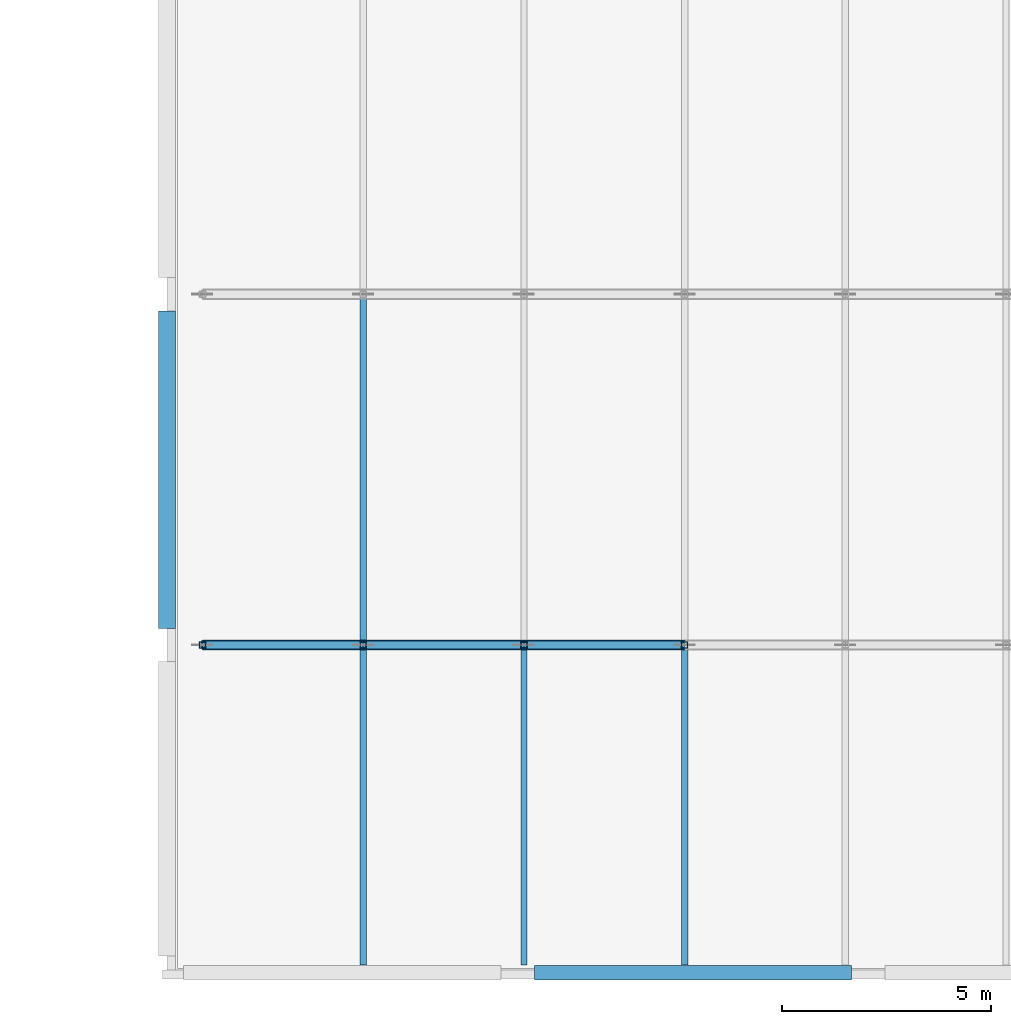
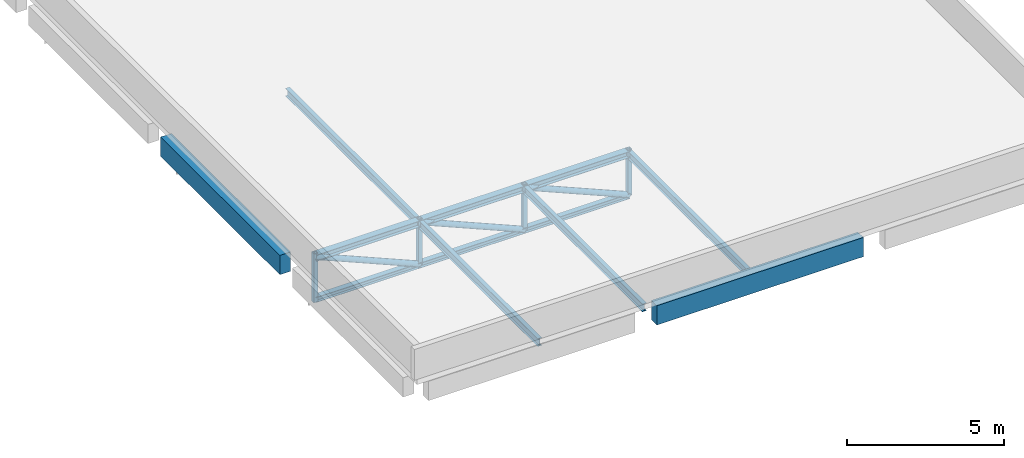
# One storey, part 14 of 38: 17 members, 2 beams.
"""IFC4 building model written with IfcOpenShell, lengths in metres."""

import ifcopenshell
import ifcopenshell.guid

model = None  # the IFC model being written
_history = None  # IfcOwnerHistory: only IFC2X3 demands one
_inside = {}  # id of a spatial element -> (the spatial element, [elements in it])
_under = {}  # id of a project, library or spatial element -> (it, [spatial elements below it])
_declared = {}  # id of a project -> (the project, [libraries it declares])
_typed = {}  # id of a type object -> (the type object, [elements of that type])
_made_of = {}  # id of a material, layer set ... -> (it, [elements and type objects made of it])


def new_model(schema):
    """Start an empty IFC model of exactly this schema.

    Asked for "IFC4X3", IfcOpenShell would pick the latest addendum, in which some entities
    have other attributes; the version numbers below select the first issue.
    IFC2X3 requires an IfcOwnerHistory on every rooted entity: one is made here for all.
    """
    global model, _history
    if schema == "IFC4X3":
        model = ifcopenshell.file(schema_version=(4, 3, 0, 0))
    else:
        model = ifcopenshell.file(schema=schema)
    _inside.clear()
    _under.clear()
    _declared.clear()
    _typed.clear()
    _made_of.clear()
    _history = None
    if model.schema == "IFC2X3":
        org = make("IfcOrganization", Name="unknown")
        user = make(
            "IfcPersonAndOrganization",
            ThePerson=make("IfcPerson", FamilyName="unknown"),
            TheOrganization=org,
        )
        app = make(
            "IfcApplication",
            ApplicationDeveloper=org,
            Version="unknown",
            ApplicationFullName="unknown",
            ApplicationIdentifier="unknown",
        )
        _history = make(
            "IfcOwnerHistory",
            OwningUser=user,
            OwningApplication=app,
            ChangeAction="ADDED",
            CreationDate=0,
        )
    return model


def make(cls, **values):
    """One entity of the class cls with the attributes given. An attribute that is None is left unset."""
    return model.create_entity(
        cls, **{name: value for name, value in values.items() if value is not None}
    )


def rooted(cls, **values):
    """An entity with a GlobalId (a new one), such as an element, a storey or a relation."""
    return make(cls, GlobalId=ifcopenshell.guid.new(), OwnerHistory=_history, **values)


def si_unit(unit_type, name, prefix=None):
    """IfcSIUnit, for example si_unit("LENGTHUNIT", "METRE", prefix="MILLI")."""
    return make("IfcSIUnit", UnitType=unit_type, Prefix=prefix, Name=name)


def assignment(units):
    """IfcUnitAssignment: the units of a project."""
    return None if units is None else make("IfcUnitAssignment", Units=units)


def point(xyz):
    """IfcCartesianPoint."""
    return None if xyz is None else make("IfcCartesianPoint", Coordinates=xyz)


def direction(xyz):
    """IfcDirection."""
    return None if xyz is None else make("IfcDirection", DirectionRatios=xyz)


def frame(location, z_axis=None, x_axis=None):
    """IfcAxis2Placement3D, a coordinate frame: its origin and axes. An axis left out is left unset."""
    return make(
        "IfcAxis2Placement3D",
        Location=point(location),
        Axis=direction(z_axis),
        RefDirection=direction(x_axis),
    )


def frame_2d(location, x_axis=None):
    """IfcAxis2Placement2D, a coordinate frame in the plane: its origin and x axis."""
    return make(
        "IfcAxis2Placement2D", Location=point(location), RefDirection=direction(x_axis)
    )


def origin():
    """The frame at (0, 0, 0) with its axes left unset."""
    return frame((0.0, 0.0, 0.0))


def origin_2d():
    """The frame at (0, 0) in the plane with its x axis left unset."""
    return frame_2d((0.0, 0.0))


def place(relative_to, where):
    """IfcLocalPlacement: puts the frame where relative to a parent placement (None: the world)."""
    return make(
        "IfcLocalPlacement", PlacementRelTo=relative_to, RelativePlacement=where
    )


def context(
    kind, dimensions, precision=None, world=None, true_north=None, identifier=None
):
    """IfcGeometricRepresentationContext, for example the 3D "Model" context."""
    return make(
        "IfcGeometricRepresentationContext",
        ContextIdentifier=identifier,
        ContextType=kind,
        CoordinateSpaceDimension=dimensions,
        Precision=precision,
        WorldCoordinateSystem=world,
        TrueNorth=true_north,
    )


def subcontext(parent, identifier, kind, view, scale=None):
    """IfcGeometricRepresentationSubContext, for example "Body" below "Model"."""
    return make(
        "IfcGeometricRepresentationSubContext",
        ContextIdentifier=identifier,
        ContextType=kind,
        ParentContext=parent,
        TargetScale=scale,
        TargetView=view,
    )


def project(units=None, contexts=None):
    """IfcProject with its units and contexts."""
    return rooted(
        "IfcProject",
        Name="project",
        RepresentationContexts=contexts,
        UnitsInContext=assignment(units),
    )


def spatial(cls, under=None, at=None, **own):
    """A site, building, storey or space (cls), placed at a placement, below another one or the project."""
    s = rooted(cls, ObjectPlacement=at, **own)
    if under is not None:
        _under.setdefault(under.id(), (under, []))[1].append(s)
    return s


def profile(cls, at=None, kind="AREA", **sizes):
    """A parametric profile (cls). Its sizes go by their IFC names, for example OverallWidth=200.0."""
    return make(cls, ProfileType=kind, Position=at, **sizes)


def rectangle(**sizes):
    """IfcRectangleProfileDef."""
    return profile("IfcRectangleProfileDef", **sizes)


def hollow_rectangle(**sizes):
    """IfcRectangleHollowProfileDef."""
    return profile("IfcRectangleHollowProfileDef", **sizes)


def hollow_circle(**sizes):
    """IfcCircleHollowProfileDef."""
    return profile("IfcCircleHollowProfileDef", **sizes)


def i_section(**sizes):
    """IfcIShapeProfileDef."""
    return profile("IfcIShapeProfileDef", **sizes)


def extrude(swept, where, along, depth):
    """IfcExtrudedAreaSolid: the profile swept, set in the frame where, extruded along a direction by depth."""
    return make(
        "IfcExtrudedAreaSolid",
        SweptArea=swept,
        Position=where,
        ExtrudedDirection=direction(along),
        Depth=depth,
    )


def shape(context_of_items, identifier, shape_type, items):
    """IfcShapeRepresentation: the items that make up one representation, for example the "Body"."""
    return make(
        "IfcShapeRepresentation",
        ContextOfItems=context_of_items,
        RepresentationIdentifier=identifier,
        RepresentationType=shape_type,
        Items=items,
    )


def material(Name=None, Category=None):
    """IfcMaterial."""
    return make("IfcMaterial", Name=Name, Category=Category)


def material_profile(
    of_material, cross_section, Name=None, Category=None, Priority=None
):
    """IfcMaterialProfile: a cross section and its material."""
    return make(
        "IfcMaterialProfile",
        Name=Name,
        Material=of_material,
        Profile=cross_section,
        Priority=Priority,
        Category=Category,
    )


def profile_set(profiles, Name=None, composite=None):
    """IfcMaterialProfileSet."""
    return make(
        "IfcMaterialProfileSet",
        Name=Name,
        MaterialProfiles=profiles,
        CompositeProfile=composite,
    )


def made_of(thing, what):
    """Note that an element or type object is made of a material, layer set ...; save() writes the relation."""
    if what is not None:
        _made_of.setdefault(what.id(), (what, []))[1].append(thing)
    return thing


def type_object(cls, material=None, **own):
    """A type object (cls), such as IfcWallType, which elements share."""
    return made_of(rooted(cls, **own), material)


def element(
    cls,
    number,
    at=None,
    inside=None,
    cuts=None,
    type_object=None,
    material=None,
    context=None,
    identifier="Body",
    shape_type=None,
    held_by="IfcProductDefinitionShape",
    body=None,
    shapes=None,
    **own,
):
    """One element of the class cls, such as IfcWall. Its Tag is "e" and its number.

    at: its placement. inside: the storey or other place that contains it. cuts: it is an
    opening in that element (IfcRelVoidsElement). A single representation is given by context,
    identifier, shape_type and body (its items); several are given by shapes. held_by: the class
    of the entity that holds the representations. save() writes the other relations.
    """
    e = rooted(cls, Tag="e%d" % number, ObjectPlacement=at, **own)
    if body is not None:
        shapes = [shape(context, identifier, shape_type, body)]
    if shapes is not None:
        e.Representation = make(held_by, Representations=shapes)
    if inside is not None:
        _inside.setdefault(inside.id(), (inside, []))[1].append(e)
    if cuts is not None:
        rooted(
            "IfcRelVoidsElement", RelatingBuildingElement=cuts, RelatedOpeningElement=e
        )
    if type_object is not None:
        _typed.setdefault(type_object.id(), (type_object, []))[1].append(e)
    return made_of(e, material)


def aggregate(whole, parts):
    """IfcRelAggregates: a whole, such as a stair, and the parts it consists of."""
    return rooted("IfcRelAggregates", RelatingObject=whole, RelatedObjects=parts)


def save(model, path):
    """Write the relations noted so far, then the file.

    IfcRelAggregates (storeys below a building ...), IfcRelContainedInSpatialStructure (elements
    in a storey), IfcRelDefinesByType, IfcRelAssociatesMaterial and IfcRelDeclares: one each for
    every whole, place, type object, material and project.
    """
    for whole, parts in _under.values():
        aggregate(whole, parts)
    for where, things in _inside.values():
        rooted(
            "IfcRelContainedInSpatialStructure",
            RelatedElements=things,
            RelatingStructure=where,
        )
    for kind, things in _typed.values():
        rooted("IfcRelDefinesByType", RelatedObjects=things, RelatingType=kind)
    for what, things in _made_of.values():
        rooted("IfcRelAssociatesMaterial", RelatedObjects=things, RelatingMaterial=what)
    for by, libraries in _declared.values():
        rooted("IfcRelDeclares", RelatingContext=by, RelatedDefinitions=libraries)
    model.write(path)


model = new_model("IFC4")

# Units and contexts
model_context = context("Model", 3, precision=1e-05, world=origin(), true_north=direction((0.0, 1.0)))
body_context = subcontext(model_context, "Body", "Model", "MODEL_VIEW")
ifc_project = project(units=[si_unit("LENGTHUNIT", "METRE"), si_unit("AREAUNIT", "SQUARE_METRE"), si_unit("VOLUMEUNIT", "CUBIC_METRE"), si_unit("PLANEANGLEUNIT", "RADIAN"), si_unit("MASSUNIT", "GRAM", prefix="KILO")], contexts=[model_context])

# Site, building, storey
site_placement = place(None, origin())
site = spatial("IfcSite", under=ifc_project, at=site_placement, CompositionType="ELEMENT")
building_placement = place(site_placement, origin())
building = spatial("IfcBuilding", under=site, at=building_placement, Name="Brinegate Botanical Conservatory", CompositionType="ELEMENT")
storey_placement = place(building_placement, frame((0.0, 0.0, 10.199951171875)))
storey = spatial("IfcBuildingStorey", under=building, at=storey_placement, Name="L03", CompositionType="ELEMENT", Elevation=10.199951171875)

# Beams
ifc_material_1 = material(Name="Concrete C50/60", Category="concrete")
ifc_material_profile_1 = material_profile(ifc_material_1, rectangle(XDim=0.39990234375, YDim=0.75, at=origin_2d()), Name="RC BM 400x750")
ifc_profile_set_1 = profile_set([ifc_material_profile_1], Name="Concrete C50/60")
beam_type_1 = type_object("IfcBeamType", Name="Beam_BM-T1", PredefinedType="BEAM", material=ifc_profile_set_1)
beam_1_placement = place(storey_placement, frame((138.800048828125, 8.800048828125, -0.574951171875), z_axis=(0.0, 1.0, 0.0), x_axis=(-1.0, 0.0, 0.0)))
element("IfcBeam", 1, at=beam_1_placement, inside=storey, type_object=beam_type_1, Name="Beam BM-T1 L03 18:B-C", PredefinedType="BEAM", context=body_context, shape_type="SweptSolid", body=[
    extrude(rectangle(XDim=0.39990234375, YDim=0.75, at=origin_2d()), origin(), (0.0, 0.0, 1.0), 7.599853515625),
])
ifc_material_2 = material(Name="Concrete C40/50", Category="concrete")
ifc_material_profile_2 = material_profile(ifc_material_2, rectangle(XDim=0.35009765625, YDim=0.75, at=origin_2d()), Name="RC SPN 350x750")
ifc_profile_set_2 = profile_set([ifc_material_profile_2], Name="Concrete C40/50")
beam_type_2 = type_object("IfcBeamType", Name="Beam_SP-01", PredefinedType="SPANDREL", material=ifc_profile_set_2)
beam_2_placement = place(storey_placement, frame((147.60009765625, 0.550048828125, -0.574951171875), z_axis=(1.0, 0.0, 0.0), x_axis=(0.0, 1.0, 0.0)))
element("IfcBeam", 2, at=beam_2_placement, inside=storey, type_object=beam_type_2, Name="Beam SP-01 L03 A:19-20", PredefinedType="SPANDREL", context=body_context, shape_type="SweptSolid", body=[
    extrude(rectangle(XDim=0.35009765625, YDim=0.75, at=origin_2d()), origin(), (0.0, 0.0, 1.0), 7.599853515625),
])

# Members
ifc_material_3 = material(Name="Structural steel Q355B / S355", Category="steel")
ifc_material_profile_3 = material_profile(ifc_material_3, hollow_circle(Radius=0.109619140625, WallThickness=0.010009765625, at=origin_2d()), Name="CHS 219x10")
ifc_profile_set_3 = profile_set([ifc_material_profile_3], Name="Structural steel Q355B / S355")
member_type_1 = type_object("IfcMemberType", Name="Member_TB-01", PredefinedType="BRACE", material=ifc_profile_set_3)
for number, where, z_axis, x_axis, name in (
    (3, (139.64990234375, 8.39990234375, -0.35986328125), (0.919999828954, 0.0, -0.391918760362), (0.0, 1.0, 0.0), "Auditorium roof truss 1 web diagonal 1"),
    (4, (143.5, 8.39990234375, -0.35986328125), (0.919999828954, 0.0, -0.391918760362), (0.0, 1.0, 0.0), "Auditorium roof truss 1 web diagonal 2"),
):
    element("IfcMember", number, at=place(storey_placement, frame(where, z_axis=z_axis, x_axis=x_axis)), inside=storey, type_object=member_type_1, Name=name, PredefinedType="BRACE", context=body_context, shape_type="SweptSolid", body=[
        extrude(hollow_circle(Radius=0.109619140625, WallThickness=0.010009765625, at=origin_2d()), origin(), (0.0, 0.0, 1.0), 4.184814453125),
    ])
member_1_placement = place(storey_placement, frame((147.35009765625, 8.39990234375, -0.35986328125), z_axis=(0.919990867405, 0.0, -0.39193979626), x_axis=(0.0, 1.0, 0.0)))
element("IfcMember", 5, at=member_1_placement, inside=storey, type_object=member_type_1, Name="Auditorium roof truss 1 web diagonal 3", PredefinedType="BRACE", context=body_context, shape_type="SweptSolid", body=[
    extrude(hollow_circle(Radius=0.109619140625, WallThickness=0.010009765625, at=origin_2d()), origin(), (0.0, 0.0, 1.0), 4.1845703125),
])
ifc_material_profile_4 = material_profile(ifc_material_3, i_section(OverallWidth=0.25, OverallDepth=0.25, WebThickness=0.009033203125, FlangeThickness=0.013916015625, at=origin_2d()), Name="HW 250x250x9x14")
ifc_profile_set_4 = profile_set([ifc_material_profile_4], Name="Structural steel Q355B / S355")
member_type_2 = type_object("IfcMemberType", Name="Member_TC-01", PredefinedType="CHORD", material=ifc_profile_set_4)
for number, where, z_axis, x_axis, name in (
    (6, (139.64990234375, 8.39990234375, -0.35986328125), (1.0, 0.0, 0.0), (0.0, 1.0, 0.0), "Auditorium roof truss 1 top chord 1"),
    (7, (143.5, 8.39990234375, -0.35986328125), (1.0, 0.0, 0.0), (0.0, 1.0, 0.0), "Auditorium roof truss 1 top chord 2"),
):
    element("IfcMember", number, at=place(storey_placement, frame(where, z_axis=z_axis, x_axis=x_axis)), inside=storey, type_object=member_type_2, Name=name, PredefinedType="CHORD", context=body_context, shape_type="SweptSolid", body=[
        extrude(i_section(OverallWidth=0.25, OverallDepth=0.25, WebThickness=0.009033203125, FlangeThickness=0.013916015625, at=origin_2d()), origin(), (0.0, 0.0, 1.0), 3.85009765625),
    ])
member_2_placement = place(storey_placement, frame((147.35009765625, 8.39990234375, -0.35986328125), z_axis=(1.0, 0.0, 0.0), x_axis=(0.0, 1.0, 0.0)))
element("IfcMember", 8, at=member_2_placement, inside=storey, type_object=member_type_2, Name="Auditorium roof truss 1 top chord 3", PredefinedType="CHORD", context=body_context, shape_type="SweptSolid", body=[
    extrude(i_section(OverallWidth=0.25, OverallDepth=0.25, WebThickness=0.009033203125, FlangeThickness=0.013916015625, at=origin_2d()), origin(), (0.0, 0.0, 1.0), 3.849853515625),
])
ifc_material_profile_5 = material_profile(ifc_material_3, i_section(OverallWidth=0.199951171875, OverallDepth=0.199951171875, WebThickness=0.008056640625, FlangeThickness=0.011962890625, at=origin_2d()), Name="HW 200x200x8x12")
ifc_profile_set_5 = profile_set([ifc_material_profile_5], Name="Structural steel Q355B / S355")
member_type_3 = type_object("IfcMemberType", Name="Member_TC-02", PredefinedType="CHORD", material=ifc_profile_set_5)
for number, where, z_axis, x_axis, name in (
    (9, (139.64990234375, 8.39990234375, -2.0), (1.0, 0.0, 0.0), (0.0, 1.0, 0.0), "Auditorium roof truss 1 bottom chord 1"),
    (10, (143.5, 8.39990234375, -2.0), (1.0, 0.0, 0.0), (0.0, 1.0, 0.0), "Auditorium roof truss 1 bottom chord 2"),
):
    element("IfcMember", number, at=place(storey_placement, frame(where, z_axis=z_axis, x_axis=x_axis)), inside=storey, type_object=member_type_3, Name=name, PredefinedType="CHORD", context=body_context, shape_type="SweptSolid", body=[
        extrude(i_section(OverallWidth=0.199951171875, OverallDepth=0.199951171875, WebThickness=0.008056640625, FlangeThickness=0.011962890625, at=origin_2d()), origin(), (0.0, 0.0, 1.0), 3.85009765625),
    ])
member_3_placement = place(storey_placement, frame((147.35009765625, 8.39990234375, -2.0), z_axis=(1.0, 0.0, 0.0), x_axis=(0.0, 1.0, 0.0)))
element("IfcMember", 11, at=member_3_placement, inside=storey, type_object=member_type_3, Name="Auditorium roof truss 1 bottom chord 3", PredefinedType="CHORD", context=body_context, shape_type="SweptSolid", body=[
    extrude(i_section(OverallWidth=0.199951171875, OverallDepth=0.199951171875, WebThickness=0.008056640625, FlangeThickness=0.011962890625, at=origin_2d()), origin(), (0.0, 0.0, 1.0), 3.849853515625),
])
ifc_material_profile_6 = material_profile(ifc_material_3, i_section(OverallWidth=0.14990234375, OverallDepth=0.300048828125, WebThickness=0.006591796875, FlangeThickness=0.009033203125, at=origin_2d()), Name="HN 300x150x6.5x9")
ifc_profile_set_6 = profile_set([ifc_material_profile_6], Name="Structural steel Q355B / S355")
member_type_4 = type_object("IfcMemberType", Name="Member_TP-01", PredefinedType="PURLIN", material=ifc_profile_set_6)
member_4_placement = place(storey_placement, frame((143.5, 8.39990234375, -0.389892578125), z_axis=(0.0, 1.0, 0.0), x_axis=(-1.0, 0.0, 0.0)))
element("IfcMember", 12, at=member_4_placement, inside=storey, type_object=member_type_4, Name="Auditorium roof purlin TP-01 1.1", PredefinedType="PURLIN", context=body_context, shape_type="SweptSolid", body=[
    extrude(i_section(OverallWidth=0.14990234375, OverallDepth=0.300048828125, WebThickness=0.006591796875, FlangeThickness=0.009033203125, at=origin_2d()), origin(), (0.0, 0.0, 1.0), 8.400146484375),
])
for number, where, z_axis, x_axis, name in (
    (13, (143.5, 0.72998046875, -0.389892578125), (0.0, 1.0, 0.0), (-1.0, 0.0, 0.0), "Auditorium south stage roof purlin TP-01 1"),
    (14, (147.35009765625, 0.72998046875, -0.389892578125), (0.0, 1.0, 0.0), (-1.0, 0.0, 0.0), "Auditorium south stage roof purlin TP-01 2"),
    (15, (151.199951171875, 0.72998046875, -0.389892578125), (0.0, 1.0, 0.0), (-1.0, 0.0, 0.0), "Auditorium south stage roof purlin TP-01 3"),
):
    element("IfcMember", number, at=place(storey_placement, frame(where, z_axis=z_axis, x_axis=x_axis)), inside=storey, type_object=member_type_4, Name=name, PredefinedType="PURLIN", context=body_context, shape_type="SweptSolid", body=[
        extrude(i_section(OverallWidth=0.14990234375, OverallDepth=0.300048828125, WebThickness=0.006591796875, FlangeThickness=0.009033203125, at=origin_2d()), origin(), (0.0, 0.0, 1.0), 7.669921875),
    ])
ifc_material_profile_7 = material_profile(ifc_material_3, hollow_rectangle(XDim=0.14990234375, YDim=0.14990234375, WallThickness=0.008056640625, at=origin_2d()), Name="SHS 150x150x8")
ifc_profile_set_7 = profile_set([ifc_material_profile_7], Name="Structural steel Q355B / S355")
member_type_5 = type_object("IfcMemberType", Name="Member_TS-01", PredefinedType="STRUT", material=ifc_profile_set_7)
member_5_placement = place(storey_placement, frame((139.64990234375, 8.39990234375, -2.099853515625), z_axis=(0.0, 0.0, 1.0), x_axis=(1.0, 0.0, 0.0)))
element("IfcMember", 16, at=member_5_placement, inside=storey, type_object=member_type_5, Name="Auditorium roof truss 1 vertical strut 1", PredefinedType="STRUT", context=body_context, shape_type="SweptSolid", body=[
    extrude(hollow_rectangle(XDim=0.14990234375, YDim=0.14990234375, WallThickness=0.008056640625, at=origin_2d()), origin(), (0.0, 0.0, 1.0), 1.89990234375),
])
for number, where, z_axis, x_axis, name in (
    (17, (143.5, 8.39990234375, -2.0), (0.0, 0.0, 1.0), (1.0, 0.0, 0.0), "Auditorium roof truss 1 vertical strut 2"),
    (18, (147.35009765625, 8.39990234375, -2.0), (0.0, 0.0, 1.0), (1.0, 0.0, 0.0), "Auditorium roof truss 1 vertical strut 3"),
    (19, (151.199951171875, 8.39990234375, -2.0), (0.0, 0.0, 1.0), (1.0, 0.0, 0.0), "Auditorium roof truss 1 vertical strut 4"),
):
    element("IfcMember", number, at=place(storey_placement, frame(where, z_axis=z_axis, x_axis=x_axis)), inside=storey, type_object=member_type_5, Name=name, PredefinedType="STRUT", context=body_context, shape_type="SweptSolid", body=[
        extrude(hollow_rectangle(XDim=0.14990234375, YDim=0.14990234375, WallThickness=0.008056640625, at=origin_2d()), origin(), (0.0, 0.0, 1.0), 1.800048828125),
    ])

save(model, "model.ifc")
